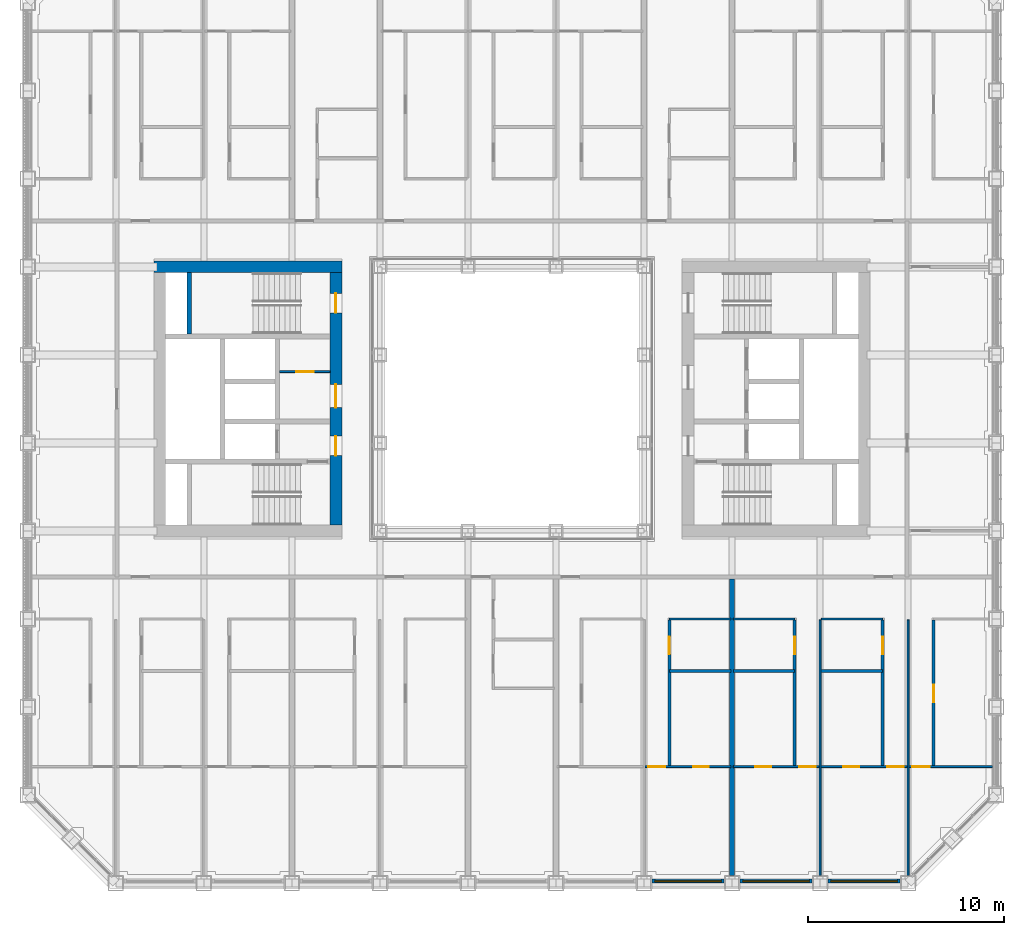
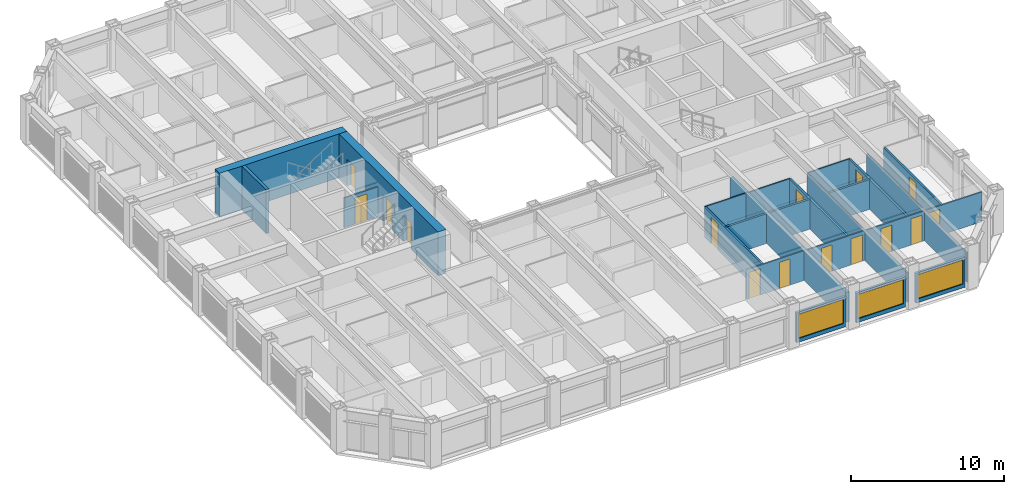
# One storey, part 11 of 20: 24 walls, 15 doors, 3 windows, 18 openings.
"""IFC4 building model written with IfcOpenShell, lengths in metres."""

from ifc_helpers import new_model, si_unit, direction, frame, frame_2d, origin, place, context, subcontext, project, spatial, rectangle, extrude, material, layer, layer_set, type_object, element, fill, save


model = new_model("IFC4")

# Units and contexts
model_context = context("Model", 3, precision=1e-05, world=origin(), true_north=direction((0.0, 1.0)))
body_context = subcontext(model_context, "Body", "Model", "MODEL_VIEW")
ifc_project = project(units=[si_unit("LENGTHUNIT", "METRE"), si_unit("AREAUNIT", "SQUARE_METRE"), si_unit("VOLUMEUNIT", "CUBIC_METRE"), si_unit("PLANEANGLEUNIT", "RADIAN"), si_unit("MASSUNIT", "GRAM", prefix="KILO")], contexts=[model_context])

# Site, building, storey
site_placement = place(None, origin())
site = spatial("IfcSite", under=ifc_project, at=site_placement, CompositionType="ELEMENT")
building_placement = place(site_placement, origin())
building = spatial("IfcBuilding", under=site, at=building_placement, Name="Msasa Ring Tower", CompositionType="ELEMENT")
storey_placement = place(building_placement, frame((0.0, 0.0, 61.5)))
storey = spatial("IfcBuildingStorey", under=building, at=storey_placement, Name="L15", CompositionType="ELEMENT", Elevation=61.5)

# Wall
ifc_material_1 = material(Name="Concrete C60/75", Category="concrete")
ifc_layer_1 = layer(ifc_material_1, 0.60009765625)
ifc_layer_set_1 = layer_set([ifc_layer_1], Name="CW1 CORE WALL 600")
wall_type_1 = type_object("IfcWallType", Name="CW1 CORE WALL 600", PredefinedType="SHEAR", material=ifc_layer_set_1)
wall_1_placement = place(storey_placement, frame((-8.699951171875, 6.75, 0.0), z_axis=(0.0, 0.0, 1.0), x_axis=(-1.0, 0.0, 0.0)))
element("IfcWall", 1, at=wall_1_placement, inside=storey, type_object=wall_type_1, Name="W core wall N L15", PredefinedType="SHEAR", context=body_context, shape_type="SweptSolid", body=[
    extrude(rectangle(XDim=9.60009765625, YDim=0.60009765625, at=frame_2d((4.800048828125, 0.0))), origin(), (0.0, 0.0, 1.0), 3.5),
])

# Wall, openings, doors
wall_2_placement = place(storey_placement, frame((-9.0, -6.449951171875, 0.0), z_axis=(0.0, 0.0, 1.0), x_axis=(0.0, 1.0, 0.0)))
wall_2 = element("IfcWall", 2, at=wall_2_placement, inside=storey, type_object=wall_type_1, Name="W core wall W L15", PredefinedType="SHEAR", context=body_context, shape_type="SweptSolid", body=[
    extrude(rectangle(XDim=12.89990234375, YDim=0.60009765625, at=frame_2d((6.449951171875, 0.0))), origin(), (0.0, 0.0, 1.0), 3.5),
])
opening_1_placement = place(wall_2_placement, frame((3.550048828125, 0.0, 0.0)))
opening_1 = element("IfcOpeningElement", 3, at=opening_1_placement, cuts=wall_2, Name="Opening RD-042", PredefinedType="OPENING", context=body_context, shape_type="SweptSolid", body=[
    extrude(rectangle(XDim=1.0, YDim=2.10009765625, at=frame_2d((0.5, 1.050048828125))), frame((0.0, 0.31005859375, 0.0), z_axis=(0.0, -1.0, 0.0), x_axis=(1.0, 0.0, 0.0)), (0.0, 0.0, 1.0), 0.6201171875),
])
opening_2_placement = place(wall_2_placement, frame((6.0, 0.0, 0.0)))
opening_2 = element("IfcOpeningElement", 4, at=opening_2_placement, cuts=wall_2, Name="Opening RD-039", PredefinedType="OPENING", context=body_context, shape_type="SweptSolid", body=[
    extrude(rectangle(XDim=1.199951171875, YDim=2.10009765625, at=frame_2d((0.60009765625, 1.050048828125))), frame((0.0, 0.31005859375, 0.0), z_axis=(0.0, -1.0, 0.0), x_axis=(1.0, 0.0, 0.0)), (0.0, 0.0, 1.0), 0.6201171875),
])
opening_3_placement = place(wall_2_placement, frame((10.85009765625, 0.0, 0.0)))
opening_3 = element("IfcOpeningElement", 5, at=opening_3_placement, cuts=wall_2, Name="Opening RD-035", PredefinedType="OPENING", context=body_context, shape_type="SweptSolid", body=[
    extrude(rectangle(XDim=1.0, YDim=2.10009765625, at=frame_2d((0.5, 1.050048828125))), frame((0.0, 0.31005859375, 0.0), z_axis=(0.0, -1.0, 0.0), x_axis=(1.0, 0.0, 0.0)), (0.0, 0.0, 1.0), 0.6201171875),
])
ifc_material_2 = material(Name="Timber door leaf in a steel frame", Category="steel")
door_type_1 = type_object("IfcDoorType", Name="D26 WIDE SERVICE ROOM DOOR 1200x2100", OperationType="SINGLE_SWING_LEFT", PredefinedType="DOOR", material=ifc_material_2)
door_1_placement = place(opening_2_placement, origin())
door_1 = element("IfcDoor", 6, at=door_1_placement, inside=storey, type_object=door_type_1, Name="Door L15-WCR", OperationType="SINGLE_SWING_RIGHT", OverallHeight=2.10009765625, OverallWidth=1.199951171875, PredefinedType="DOOR", context=body_context, shape_type="SweptSolid", body=[
    extrude(rectangle(XDim=1.199951171875, YDim=2.10009765625, at=frame_2d((0.60009765625, 1.050048828125))), frame((0.0, 0.02490234375, 0.0), z_axis=(0.0, -1.0, 0.0), x_axis=(1.0, 0.0, 0.0)), (0.0, 0.0, 1.0), 0.050048828125),
])
fill(opening_2, door_1)
ifc_material_3 = material(Name="Timber door leaf in a steel frame", Category="steel")
door_type_2 = type_object("IfcDoorType", Name="D4 LOBBY DOOR 1000x2100", OperationType="SINGLE_SWING_LEFT", PredefinedType="DOOR", material=ifc_material_3)
door_2_placement = place(opening_1_placement, origin())
door_2 = element("IfcDoor", 7, at=door_2_placement, inside=storey, type_object=door_type_2, Name="Door L15-WFFL", OperationType="SINGLE_SWING_LEFT", OverallHeight=2.10009765625, OverallWidth=1.0, PredefinedType="DOOR", context=body_context, shape_type="SweptSolid", body=[
    extrude(rectangle(XDim=1.0, YDim=2.10009765625, at=frame_2d((0.5, 1.050048828125))), frame((0.0, 0.02490234375, 0.0), z_axis=(0.0, -1.0, 0.0), x_axis=(1.0, 0.0, 0.0)), (0.0, 0.0, 1.0), 0.050048828125),
])
fill(opening_1, door_2)
ifc_material_4 = material(Name="Timber door leaf in a steel frame", Category="steel")
door_type_3 = type_object("IfcDoorType", Name="D6 STAIR DOOR 1000x2100", OperationType="SINGLE_SWING_LEFT", PredefinedType="DOOR", material=ifc_material_4)
door_3_placement = place(opening_3_placement, origin())
door_3 = element("IfcDoor", 8, at=door_3_placement, inside=storey, type_object=door_type_3, Name="Door L15-WSTB", OperationType="SINGLE_SWING_RIGHT", OverallHeight=2.10009765625, OverallWidth=1.0, PredefinedType="DOOR", context=body_context, shape_type="SweptSolid", body=[
    extrude(rectangle(XDim=1.0, YDim=2.10009765625, at=frame_2d((0.5, 1.050048828125))), frame((0.0, 0.02490234375, 0.0), z_axis=(0.0, -1.0, 0.0), x_axis=(1.0, 0.0, 0.0)), (0.0, 0.0, 1.0), 0.050048828125),
])
fill(opening_3, door_3)

# Wall
ifc_material_5 = material(Name="Concrete C60/75", Category="concrete")
ifc_layer_2 = layer(ifc_material_5, 0.25)
ifc_layer_set_2 = layer_set([ifc_layer_2], Name="CW4 CORE INNER WALL 250")
wall_type_2 = type_object("IfcWallType", Name="CW4 CORE INNER WALL 250", PredefinedType="SHEAR", material=ifc_layer_set_2)
wall_3_placement = place(storey_placement, frame((-16.5, 3.324951171875, 0.0), z_axis=(0.0, 0.0, 1.0), x_axis=(0.0, 1.0, 0.0)))
element("IfcWall", 9, at=wall_3_placement, inside=storey, type_object=wall_type_2, Name="W core wall RISERB L15", PredefinedType="SHEAR", context=body_context, shape_type="SweptSolid", body=[
    extrude(rectangle(XDim=3.125, YDim=0.25, at=frame_2d((1.5625, 0.0))), origin(), (0.0, 0.0, 1.0), 3.5),
])

# Wall, opening, window
ifc_material_6 = material(Name="Terracotta rainscreen on blockwork", Category="masonry")
ifc_layer_3 = layer(ifc_material_6, 0.199951171875)
ifc_layer_set_3 = layer_set([ifc_layer_3], Name="FW1 TERRACOTTA-LINED INFILL BAY WALL 200")
wall_type_3 = type_object("IfcWallType", Name="FW1 TERRACOTTA-LINED INFILL BAY WALL 200", PredefinedType="SOLIDWALL", material=ifc_layer_set_3)
wall_4_placement = place(storey_placement, frame((7.155029296875, -24.64990234375, 0.0), z_axis=(0.0, 0.0, 1.0), x_axis=(1.0, 0.0, 0.0)))
wall_4 = element("IfcWall", 10, at=wall_4_placement, inside=storey, type_object=wall_type_3, Name="Infill bay wall S L15 06", PredefinedType="SOLIDWALL", context=body_context, shape_type="SweptSolid", body=[
    extrude(rectangle(XDim=3.68994140625, YDim=0.199951171875, at=frame_2d((1.844970703125, 0.0))), origin(), (0.0, 0.0, 1.0), 2.37890625),
])
opening_4_placement = place(wall_4_placement, frame((0.14501953125, 0.0, 0.300048828125)))
opening_4 = element("IfcOpeningElement", 11, at=opening_4_placement, cuts=wall_4, Name="Opening WN1", PredefinedType="OPENING", context=body_context, shape_type="SweptSolid", body=[
    extrude(rectangle(XDim=3.39990234375, YDim=1.928955078125, at=frame_2d((1.699951171875, 0.96435546875))), frame((0.0, 0.10986328125, 0.0), z_axis=(0.0, -1.0, 0.0), x_axis=(1.0, 0.0, 0.0)), (0.0, 0.0, 1.0), 0.219970703125),
])
ifc_material_7 = material(Name="Aluminium frame with clear glass", Category="aluminium")
window_type = type_object("IfcWindowType", Name="WN1 RESIDENCE WINDOW 3400x1929", PartitioningType="SINGLE_PANEL", PredefinedType="WINDOW", material=ifc_material_7)
window_1_placement = place(opening_4_placement, origin())
window_1 = element("IfcWindow", 12, at=window_1_placement, inside=storey, type_object=window_type, Name="Window S L15 06", OverallHeight=1.928955078125, OverallWidth=3.39990234375, PartitioningType="SINGLE_PANEL", PredefinedType="WINDOW", context=body_context, shape_type="SweptSolid", body=[
    extrude(rectangle(XDim=3.39990234375, YDim=1.928955078125, at=frame_2d((1.699951171875, 0.96435546875))), frame((0.0, 0.030029296875, 0.0), z_axis=(0.0, -1.0, 0.0), x_axis=(1.0, 0.0, 0.0)), (0.0, 0.0, 1.0), 0.06005859375),
])
fill(opening_4, window_1)

wall_5_placement = place(storey_placement, frame((11.655029296875, -24.64990234375, 0.0), z_axis=(0.0, 0.0, 1.0), x_axis=(1.0, 0.0, 0.0)))
wall_5 = element("IfcWall", 13, at=wall_5_placement, inside=storey, type_object=wall_type_3, Name="Infill bay wall S L15 07", PredefinedType="SOLIDWALL", context=body_context, shape_type="SweptSolid", body=[
    extrude(rectangle(XDim=3.68994140625, YDim=0.199951171875, at=frame_2d((1.844970703125, 0.0))), origin(), (0.0, 0.0, 1.0), 2.37890625),
])
opening_5_placement = place(wall_5_placement, frame((0.14501953125, 0.0, 0.300048828125)))
opening_5 = element("IfcOpeningElement", 14, at=opening_5_placement, cuts=wall_5, Name="Opening WN1", PredefinedType="OPENING", context=body_context, shape_type="SweptSolid", body=[
    extrude(rectangle(XDim=3.39990234375, YDim=1.928955078125, at=frame_2d((1.699951171875, 0.96435546875))), frame((0.0, 0.10986328125, 0.0), z_axis=(0.0, -1.0, 0.0), x_axis=(1.0, 0.0, 0.0)), (0.0, 0.0, 1.0), 0.219970703125),
])
window_2_placement = place(opening_5_placement, origin())
window_2 = element("IfcWindow", 15, at=window_2_placement, inside=storey, type_object=window_type, Name="Window S L15 07", OverallHeight=1.928955078125, OverallWidth=3.39990234375, PartitioningType="SINGLE_PANEL", PredefinedType="WINDOW", context=body_context, shape_type="SweptSolid", body=[
    extrude(rectangle(XDim=3.39990234375, YDim=1.928955078125, at=frame_2d((1.699951171875, 0.96435546875))), frame((0.0, 0.030029296875, 0.0), z_axis=(0.0, -1.0, 0.0), x_axis=(1.0, 0.0, 0.0)), (0.0, 0.0, 1.0), 0.06005859375),
])
fill(opening_5, window_2)

wall_6_placement = place(storey_placement, frame((16.155029296875, -24.64990234375, 0.0), z_axis=(0.0, 0.0, 1.0), x_axis=(1.0, 0.0, 0.0)))
wall_6 = element("IfcWall", 16, at=wall_6_placement, inside=storey, type_object=wall_type_3, Name="Infill bay wall S L15 08", PredefinedType="SOLIDWALL", context=body_context, shape_type="SweptSolid", body=[
    extrude(rectangle(XDim=3.68994140625, YDim=0.199951171875, at=frame_2d((1.844970703125, 0.0))), origin(), (0.0, 0.0, 1.0), 2.37890625),
])
opening_6_placement = place(wall_6_placement, frame((0.14501953125, 0.0, 0.300048828125)))
opening_6 = element("IfcOpeningElement", 17, at=opening_6_placement, cuts=wall_6, Name="Opening WN1", PredefinedType="OPENING", context=body_context, shape_type="SweptSolid", body=[
    extrude(rectangle(XDim=3.39990234375, YDim=1.928955078125, at=frame_2d((1.699951171875, 0.96435546875))), frame((0.0, 0.10986328125, 0.0), z_axis=(0.0, -1.0, 0.0), x_axis=(1.0, 0.0, 0.0)), (0.0, 0.0, 1.0), 0.219970703125),
])
window_3_placement = place(opening_6_placement, origin())
window_3 = element("IfcWindow", 18, at=window_3_placement, inside=storey, type_object=window_type, Name="Window S L15 08", OverallHeight=1.928955078125, OverallWidth=3.39990234375, PartitioningType="SINGLE_PANEL", PredefinedType="WINDOW", context=body_context, shape_type="SweptSolid", body=[
    extrude(rectangle(XDim=3.39990234375, YDim=1.928955078125, at=frame_2d((1.699951171875, 0.96435546875))), frame((0.0, 0.030029296875, 0.0), z_axis=(0.0, -1.0, 0.0), x_axis=(1.0, 0.0, 0.0)), (0.0, 0.0, 1.0), 0.06005859375),
])
fill(opening_6, window_3)

# Wall
ifc_material_8 = material(Name="Gypsum board on steel studs", Category="steel")
ifc_layer_4 = layer(ifc_material_8, 0.10009765625)
ifc_layer_set_4 = layer_set([ifc_layer_4], Name="PT2 STUD PARTITION 100")
wall_type_4 = type_object("IfcWallType", Name="PT2 STUD PARTITION 100", PredefinedType="PARTITIONING", material=ifc_layer_set_4)
wall_7_placement = place(storey_placement, frame((8.050048828125, -11.25, 0.0), z_axis=(0.0, 0.0, 1.0), x_axis=(1.0, 0.0, 0.0)))
element("IfcWall", 19, at=wall_7_placement, inside=storey, type_object=wall_type_4, Name="Partition L15-US03HY1", PredefinedType="PARTITIONING", context=body_context, shape_type="SweptSolid", body=[
    extrude(rectangle(XDim=3.139892578125, YDim=0.10009765625, at=frame_2d((1.56982421875, 0.0))), origin(), (0.0, 0.0, 1.0), 2.373291015625),
])

# Wall, openings, doors
wall_8_placement = place(storey_placement, frame((6.800048828125, -18.800048828125, 0.0), z_axis=(0.0, 0.0, 1.0), x_axis=(1.0, 0.0, 0.0)))
wall_8 = element("IfcWall", 20, at=wall_8_placement, inside=storey, type_object=wall_type_4, Name="Partition L15-US03SY1", PredefinedType="PARTITIONING", context=body_context, shape_type="SweptSolid", body=[
    extrude(rectangle(XDim=4.389892578125, YDim=0.10009765625, at=frame_2d((2.19482421875, 0.0))), origin(), (0.0, 0.0, 1.0), 2.373291015625),
])
opening_7_placement = place(wall_8_placement, frame((0.175048828125, 0.0, 0.0)))
opening_7 = element("IfcOpeningElement", 21, at=opening_7_placement, cuts=wall_8, Name="Opening RD-073", PredefinedType="OPENING", context=body_context, shape_type="SweptSolid", body=[
    extrude(rectangle(XDim=0.85009765625, YDim=2.10009765625, at=frame_2d((0.425048828125, 1.050048828125))), frame((0.0, 0.06005859375, 0.0), z_axis=(0.0, -1.0, 0.0), x_axis=(1.0, 0.0, 0.0)), (0.0, 0.0, 1.0), 0.1201171875),
])
opening_8_placement = place(wall_8_placement, frame((2.4599609375, 0.0, 0.0)))
opening_8 = element("IfcOpeningElement", 22, at=opening_8_placement, cuts=wall_8, Name="Opening RD-074", PredefinedType="OPENING", context=body_context, shape_type="SweptSolid", body=[
    extrude(rectangle(XDim=0.800048828125, YDim=2.10009765625, at=frame_2d((0.39990234375, 1.050048828125))), frame((0.0, 0.06005859375, 0.0), z_axis=(0.0, -1.0, 0.0), x_axis=(1.0, 0.0, 0.0)), (0.0, 0.0, 1.0), 0.1201171875),
])
ifc_material_9 = material(Name="Timber door leaf in a steel frame", Category="steel")
door_type_4 = type_object("IfcDoorType", Name="D14 BEDROOM DOOR 850x2100", OperationType="SINGLE_SWING_LEFT", PredefinedType="DOOR", material=ifc_material_9)
door_4_placement = place(opening_7_placement, origin())
door_4 = element("IfcDoor", 23, at=door_4_placement, inside=storey, type_object=door_type_4, Name="Door L15-US03R1", OperationType="SINGLE_SWING_LEFT", OverallHeight=2.10009765625, OverallWidth=0.85009765625, PredefinedType="DOOR", context=body_context, shape_type="SweptSolid", body=[
    extrude(rectangle(XDim=0.85009765625, YDim=2.10009765625, at=frame_2d((0.425048828125, 1.050048828125))), frame((0.0, 0.02490234375, 0.0), z_axis=(0.0, -1.0, 0.0), x_axis=(1.0, 0.0, 0.0)), (0.0, 0.0, 1.0), 0.050048828125),
])
fill(opening_7, door_4)
ifc_material_10 = material(Name="Timber door leaf in a steel frame", Category="steel")
door_type_5 = type_object("IfcDoorType", Name="D60 DRESSING ROOM DOOR 800x2100", OperationType="SINGLE_SWING_LEFT", PredefinedType="DOOR", material=ifc_material_10)
door_5_placement = place(opening_8_placement, origin())
door_5 = element("IfcDoor", 24, at=door_5_placement, inside=storey, type_object=door_type_5, Name="Door L15-US03W1", OperationType="SINGLE_SWING_RIGHT", OverallHeight=2.10009765625, OverallWidth=0.800048828125, PredefinedType="DOOR", context=body_context, shape_type="SweptSolid", body=[
    extrude(rectangle(XDim=0.800048828125, YDim=2.10009765625, at=frame_2d((0.39990234375, 1.050048828125))), frame((0.0, 0.02490234375, 0.0), z_axis=(0.0, -1.0, 0.0), x_axis=(1.0, 0.0, 0.0)), (0.0, 0.0, 1.0), 0.050048828125),
])
fill(opening_8, door_5)

# Wall, opening, door
wall_9_placement = place(storey_placement, frame((20.300048828125, -18.800048828125, 0.0), z_axis=(0.0, 0.0, 1.0), x_axis=(1.0, 0.0, 0.0)))
wall_9 = element("IfcWall", 25, at=wall_9_placement, inside=storey, type_object=wall_type_4, Name="Partition L15-US04SY0", PredefinedType="PARTITIONING", context=body_context, shape_type="SweptSolid", body=[
    extrude(rectangle(XDim=4.25, YDim=0.10009765625, at=frame_2d((2.125, 0.0))), origin(), (0.0, 0.0, 1.0), 2.373291015625),
])
opening_9_placement = place(wall_9_placement, frame((0.14990234375, 0.0, 0.0)))
opening_9 = element("IfcOpeningElement", 26, at=opening_9_placement, cuts=wall_9, Name="Opening RD-079", PredefinedType="OPENING", context=body_context, shape_type="SweptSolid", body=[
    extrude(rectangle(XDim=0.89990234375, YDim=2.10009765625, at=frame_2d((0.449951171875, 1.050048828125))), frame((0.0, 0.06005859375, 0.0), z_axis=(0.0, -1.0, 0.0), x_axis=(1.0, 0.0, 0.0)), (0.0, 0.0, 1.0), 0.1201171875),
])
ifc_material_11 = material(Name="Timber door leaf in a steel frame", Category="steel")
door_type_6 = type_object("IfcDoorType", Name="D22 INTERNAL HALL DOOR 900x2100", OperationType="SINGLE_SWING_LEFT", PredefinedType="DOOR", material=ifc_material_11)
door_6_placement = place(opening_9_placement, origin())
door_6 = element("IfcDoor", 27, at=door_6_placement, inside=storey, type_object=door_type_6, Name="Door L15-US04L", OperationType="SINGLE_SWING_LEFT", OverallHeight=2.10009765625, OverallWidth=0.89990234375, PredefinedType="DOOR", context=body_context, shape_type="SweptSolid", body=[
    extrude(rectangle(XDim=0.89990234375, YDim=2.10009765625, at=frame_2d((0.449951171875, 1.050048828125))), frame((0.0, 0.02490234375, 0.0), z_axis=(0.0, -1.0, 0.0), x_axis=(1.0, 0.0, 0.0)), (0.0, 0.0, 1.0), 0.050048828125),
])
fill(opening_9, door_6)

# Walls
wall_10_placement = place(storey_placement, frame((20.25, -24.35009765625, 0.0), z_axis=(0.0, 0.0, 1.0), x_axis=(0.0, 1.0, 0.0)))
element("IfcWall", 28, at=wall_10_placement, inside=storey, type_object=wall_type_4, Name="Partition L15-US04P1", PredefinedType="PARTITIONING", context=body_context, shape_type="SweptSolid", body=[
    extrude(rectangle(XDim=13.050048828125, YDim=0.10009765625, at=frame_2d((6.52490234375, 0.0))), origin(), (0.0, 0.0, 1.0), 2.373291015625),
])
wall_11_placement = place(storey_placement, frame((15.81005859375, -11.25, 0.0), z_axis=(0.0, 0.0, 1.0), x_axis=(1.0, 0.0, 0.0)))
element("IfcWall", 29, at=wall_11_placement, inside=storey, type_object=wall_type_4, Name="Partition L15-US04HY1", PredefinedType="PARTITIONING", context=body_context, shape_type="SweptSolid", body=[
    extrude(rectangle(XDim=3.139892578125, YDim=0.10009765625, at=frame_2d((1.56982421875, 0.0))), origin(), (0.0, 0.0, 1.0), 2.373291015625),
])

# Wall, openings, doors
wall_12_placement = place(storey_placement, frame((15.800048828125, -18.800048828125, 0.0), z_axis=(0.0, 0.0, 1.0), x_axis=(1.0, 0.0, 0.0)))
wall_12 = element("IfcWall", 30, at=wall_12_placement, inside=storey, type_object=wall_type_4, Name="Partition L15-US04SY1", PredefinedType="PARTITIONING", context=body_context, shape_type="SweptSolid", body=[
    extrude(rectangle(XDim=4.39990234375, YDim=0.10009765625, at=frame_2d((2.199951171875, 0.0))), origin(), (0.0, 0.0, 1.0), 2.373291015625),
])
opening_10_placement = place(wall_12_placement, frame((3.375, 0.0, 0.0)))
opening_10 = element("IfcOpeningElement", 31, at=opening_10_placement, cuts=wall_12, Name="Opening RD-078", PredefinedType="OPENING", context=body_context, shape_type="SweptSolid", body=[
    extrude(rectangle(XDim=0.85009765625, YDim=2.10009765625, at=frame_2d((0.425048828125, 1.050048828125))), frame((0.0, 0.06005859375, 0.0), z_axis=(0.0, -1.0, 0.0), x_axis=(1.0, 0.0, 0.0)), (0.0, 0.0, 1.0), 0.1201171875),
])
opening_11_placement = place(wall_12_placement, frame((1.139892578125, 0.0, 0.0)))
opening_11 = element("IfcOpeningElement", 32, at=opening_11_placement, cuts=wall_12, Name="Opening RD-077", PredefinedType="OPENING", context=body_context, shape_type="SweptSolid", body=[
    extrude(rectangle(XDim=0.800048828125, YDim=2.10009765625, at=frame_2d((0.39990234375, 1.050048828125))), frame((0.0, 0.06005859375, 0.0), z_axis=(0.0, -1.0, 0.0), x_axis=(1.0, 0.0, 0.0)), (0.0, 0.0, 1.0), 0.1201171875),
])
door_7_placement = place(opening_10_placement, origin())
door_7 = element("IfcDoor", 33, at=door_7_placement, inside=storey, type_object=door_type_4, Name="Door L15-US04R1", OperationType="SINGLE_SWING_RIGHT", OverallHeight=2.10009765625, OverallWidth=0.85009765625, PredefinedType="DOOR", context=body_context, shape_type="SweptSolid", body=[
    extrude(rectangle(XDim=0.85009765625, YDim=2.10009765625, at=frame_2d((0.425048828125, 1.050048828125))), frame((0.0, 0.02490234375, 0.0), z_axis=(0.0, -1.0, 0.0), x_axis=(1.0, 0.0, 0.0)), (0.0, 0.0, 1.0), 0.050048828125),
])
fill(opening_10, door_7)
door_8_placement = place(opening_11_placement, origin())
door_8 = element("IfcDoor", 34, at=door_8_placement, inside=storey, type_object=door_type_5, Name="Door L15-US04W1", OperationType="SINGLE_SWING_LEFT", OverallHeight=2.10009765625, OverallWidth=0.800048828125, PredefinedType="DOOR", context=body_context, shape_type="SweptSolid", body=[
    extrude(rectangle(XDim=0.800048828125, YDim=2.10009765625, at=frame_2d((0.39990234375, 1.050048828125))), frame((0.0, 0.02490234375, 0.0), z_axis=(0.0, -1.0, 0.0), x_axis=(1.0, 0.0, 0.0)), (0.0, 0.0, 1.0), 0.050048828125),
])
fill(opening_11, door_8)

# Walls
wall_13_placement = place(storey_placement, frame((15.75, -24.35009765625, 0.0), z_axis=(0.0, 0.0, 1.0), x_axis=(0.0, 1.0, 0.0)))
element("IfcWall", 35, at=wall_13_placement, inside=storey, type_object=wall_type_4, Name="Partition L15-US04P2", PredefinedType="PARTITIONING", context=body_context, shape_type="SweptSolid", body=[
    extrude(rectangle(XDim=13.050048828125, YDim=0.10009765625, at=frame_2d((6.52490234375, 0.0))), origin(), (0.0, 0.0, 1.0), 2.373291015625),
])
wall_14_placement = place(storey_placement, frame((11.31005859375, -11.25, 0.0), z_axis=(0.0, 0.0, 1.0), x_axis=(1.0, 0.0, 0.0)))
element("IfcWall", 36, at=wall_14_placement, inside=storey, type_object=wall_type_4, Name="Partition L15-US04HY2", PredefinedType="PARTITIONING", context=body_context, shape_type="SweptSolid", body=[
    extrude(rectangle(XDim=3.139892578125, YDim=0.10009765625, at=frame_2d((1.56982421875, 0.0))), origin(), (0.0, 0.0, 1.0), 2.373291015625),
])

# Wall, openings, doors
wall_15_placement = place(storey_placement, frame((11.31005859375, -18.800048828125, 0.0), z_axis=(0.0, 0.0, 1.0), x_axis=(1.0, 0.0, 0.0)))
wall_15 = element("IfcWall", 37, at=wall_15_placement, inside=storey, type_object=wall_type_4, Name="Partition L15-US04SY2", PredefinedType="PARTITIONING", context=body_context, shape_type="SweptSolid", body=[
    extrude(rectangle(XDim=4.389892578125, YDim=0.10009765625, at=frame_2d((2.19482421875, 0.0))), origin(), (0.0, 0.0, 1.0), 2.373291015625),
])
opening_12_placement = place(wall_15_placement, frame((3.364990234375, 0.0, 0.0)))
opening_12 = element("IfcOpeningElement", 38, at=opening_12_placement, cuts=wall_15, Name="Opening RD-076", PredefinedType="OPENING", context=body_context, shape_type="SweptSolid", body=[
    extrude(rectangle(XDim=0.85009765625, YDim=2.10009765625, at=frame_2d((0.425048828125, 1.050048828125))), frame((0.0, 0.06005859375, 0.0), z_axis=(0.0, -1.0, 0.0), x_axis=(1.0, 0.0, 0.0)), (0.0, 0.0, 1.0), 0.1201171875),
])
opening_13_placement = place(wall_15_placement, frame((1.1298828125, 0.0, 0.0)))
opening_13 = element("IfcOpeningElement", 39, at=opening_13_placement, cuts=wall_15, Name="Opening RD-075", PredefinedType="OPENING", context=body_context, shape_type="SweptSolid", body=[
    extrude(rectangle(XDim=0.800048828125, YDim=2.10009765625, at=frame_2d((0.39990234375, 1.050048828125))), frame((0.0, 0.06005859375, 0.0), z_axis=(0.0, -1.0, 0.0), x_axis=(1.0, 0.0, 0.0)), (0.0, 0.0, 1.0), 0.1201171875),
])
door_9_placement = place(opening_12_placement, origin())
door_9 = element("IfcDoor", 40, at=door_9_placement, inside=storey, type_object=door_type_4, Name="Door L15-US04R2", OperationType="SINGLE_SWING_RIGHT", OverallHeight=2.10009765625, OverallWidth=0.85009765625, PredefinedType="DOOR", context=body_context, shape_type="SweptSolid", body=[
    extrude(rectangle(XDim=0.85009765625, YDim=2.10009765625, at=frame_2d((0.425048828125, 1.050048828125))), frame((0.0, 0.02490234375, 0.0), z_axis=(0.0, -1.0, 0.0), x_axis=(1.0, 0.0, 0.0)), (0.0, 0.0, 1.0), 0.050048828125),
])
fill(opening_12, door_9)
door_10_placement = place(opening_13_placement, origin())
door_10 = element("IfcDoor", 41, at=door_10_placement, inside=storey, type_object=door_type_5, Name="Door L15-US04W2", OperationType="SINGLE_SWING_LEFT", OverallHeight=2.10009765625, OverallWidth=0.800048828125, PredefinedType="DOOR", context=body_context, shape_type="SweptSolid", body=[
    extrude(rectangle(XDim=0.800048828125, YDim=2.10009765625, at=frame_2d((0.39990234375, 1.050048828125))), frame((0.0, 0.02490234375, 0.0), z_axis=(0.0, -1.0, 0.0), x_axis=(1.0, 0.0, 0.0)), (0.0, 0.0, 1.0), 0.050048828125),
])
fill(opening_13, door_10)

# Wall, opening, door
wall_16_placement = place(storey_placement, frame((-11.875, 1.39990234375, 0.0), z_axis=(0.0, 0.0, 1.0), x_axis=(1.0, 0.0, 0.0)))
wall_16 = element("IfcWall", 42, at=wall_16_placement, inside=storey, type_object=wall_type_4, Name="Partition L15-WCP", PredefinedType="PARTITIONING", context=body_context, shape_type="SweptSolid", body=[
    extrude(rectangle(XDim=2.574951171875, YDim=0.10009765625, at=frame_2d((1.28759765625, 0.0))), origin(), (0.0, 0.0, 1.0), 2.373291015625),
])
opening_14_placement = place(wall_16_placement, frame((0.83740234375, 0.0, 0.0)))
opening_14 = element("IfcOpeningElement", 43, at=opening_14_placement, cuts=wall_16, Name="Opening RD-037", PredefinedType="OPENING", context=body_context, shape_type="SweptSolid", body=[
    extrude(rectangle(XDim=0.89990234375, YDim=2.10009765625, at=frame_2d((0.449951171875, 1.050048828125))), frame((0.0, 0.06005859375, 0.0), z_axis=(0.0, -1.0, 0.0), x_axis=(1.0, 0.0, 0.0)), (0.0, 0.0, 1.0), 0.1201171875),
])
door_11_placement = place(opening_14_placement, origin())
door_11 = element("IfcDoor", 44, at=door_11_placement, inside=storey, type_object=door_type_6, Name="Door L15-WCP", OperationType="SINGLE_SWING_LEFT", OverallHeight=2.10009765625, OverallWidth=0.89990234375, PredefinedType="DOOR", context=body_context, shape_type="SweptSolid", body=[
    extrude(rectangle(XDim=0.89990234375, YDim=2.10009765625, at=frame_2d((0.449951171875, 1.050048828125))), frame((0.0, 0.02490234375, 0.0), z_axis=(0.0, -1.0, 0.0), x_axis=(1.0, 0.0, 0.0)), (0.0, 0.0, 1.0), 0.050048828125),
])
fill(opening_14, door_11)

# Wall
ifc_material_12 = material(Name="Dense concrete blockwork, plastered both faces", Category="masonry")
ifc_layer_5 = layer(ifc_material_12, 0.25)
ifc_layer_set_5 = layer_set([ifc_layer_5], Name="PT3 APARTMENT SEPARATING WALL 250")
wall_type_5 = type_object("IfcWallType", Name="PT3 APARTMENT SEPARATING WALL 250", PredefinedType="PARTITIONING", material=ifc_layer_set_5)
wall_17_placement = place(storey_placement, frame((11.25, -24.35009765625, 0.0), z_axis=(0.0, 0.0, 1.0), x_axis=(0.0, 1.0, 0.0)))
element("IfcWall", 45, at=wall_17_placement, inside=storey, type_object=wall_type_5, Name="Party wall L15-PWS+11.25", PredefinedType="PARTITIONING", context=body_context, shape_type="SweptSolid", body=[
    extrude(rectangle(XDim=15.150146484375, YDim=0.25, at=frame_2d((7.5751953125, 0.0))), origin(), (0.0, 0.0, 1.0), 2.373291015625),
])

# Wall, opening, door
ifc_material_13 = material(Name="Moisture-resistant board on steel studs with a concealed cistern and pipe void, tiled", Category="steel")
ifc_layer_6 = layer(ifc_material_13, 0.14990234375)
ifc_layer_set_6 = layer_set([ifc_layer_6], Name="PT4 BATHROOM WET WALL 150")
wall_type_6 = type_object("IfcWallType", Name="PT4 BATHROOM WET WALL 150", PredefinedType="PARTITIONING", material=ifc_layer_set_6)
wall_18_placement = place(storey_placement, frame((8.050048828125, -18.800048828125, 0.0), z_axis=(0.0, 0.0, 1.0), x_axis=(0.0, 1.0, 0.0)))
wall_18 = element("IfcWall", 46, at=wall_18_placement, inside=storey, type_object=wall_type_6, Name="Partition L15-US03SX1", PredefinedType="PARTITIONING", context=body_context, shape_type="SweptSolid", body=[
    extrude(rectangle(XDim=7.5, YDim=0.14990234375, at=frame_2d((3.75, 0.0))), origin(), (0.0, 0.0, 1.0), 2.373291015625),
])
opening_15_placement = place(wall_18_placement, frame((5.75, 0.0, 0.0)))
opening_15 = element("IfcOpeningElement", 47, at=opening_15_placement, cuts=wall_18, Name="Opening RD-056", PredefinedType="OPENING", context=body_context, shape_type="SweptSolid", body=[
    extrude(rectangle(XDim=0.89990234375, YDim=2.10009765625, at=frame_2d((0.449951171875, 1.050048828125))), frame((0.0, 0.0849609375, 0.0), z_axis=(0.0, -1.0, 0.0), x_axis=(1.0, 0.0, 0.0)), (0.0, 0.0, 1.0), 0.169921875),
])
ifc_material_14 = material(Name="Timber door leaf in a steel frame", Category="steel")
door_type_7 = type_object("IfcDoorType", Name="D3 BATHROOM DOOR 900x2100", OperationType="SINGLE_SWING_LEFT", PredefinedType="DOOR", material=ifc_material_14)
door_12_placement = place(opening_15_placement, origin())
door_12 = element("IfcDoor", 48, at=door_12_placement, inside=storey, type_object=door_type_7, Name="Door L15-US03B1", OperationType="SINGLE_SWING_RIGHT", OverallHeight=2.10009765625, OverallWidth=0.89990234375, PredefinedType="DOOR", context=body_context, shape_type="SweptSolid", body=[
    extrude(rectangle(XDim=0.89990234375, YDim=2.10009765625, at=frame_2d((0.449951171875, 1.050048828125))), frame((0.0, 0.02490234375, 0.0), z_axis=(0.0, -1.0, 0.0), x_axis=(1.0, 0.0, 0.0)), (0.0, 0.0, 1.0), 0.050048828125),
])
fill(opening_15, door_12)

# Wall
wall_19_placement = place(storey_placement, frame((8.050048828125, -13.89990234375, 0.0), z_axis=(0.0, 0.0, 1.0), x_axis=(1.0, 0.0, 0.0)))
element("IfcWall", 49, at=wall_19_placement, inside=storey, type_object=wall_type_6, Name="Partition L15-US03SB1", PredefinedType="PARTITIONING", context=body_context, shape_type="SweptSolid", body=[
    extrude(rectangle(XDim=3.139892578125, YDim=0.14990234375, at=frame_2d((1.56982421875, 0.0))), origin(), (0.0, 0.0, 1.0), 2.373291015625),
])

# Wall, opening, door
wall_20_placement = place(storey_placement, frame((21.550048828125, -18.800048828125, 0.0), z_axis=(0.0, 0.0, 1.0), x_axis=(0.0, 1.0, 0.0)))
wall_20 = element("IfcWall", 50, at=wall_20_placement, inside=storey, type_object=wall_type_6, Name="Partition L15-US04SX0", PredefinedType="PARTITIONING", context=body_context, shape_type="SweptSolid", body=[
    extrude(rectangle(XDim=7.5, YDim=0.14990234375, at=frame_2d((3.75, 0.0))), origin(), (0.0, 0.0, 1.0), 2.373291015625),
])
opening_16_placement = place(wall_20_placement, frame((3.300048828125, 0.0, 0.0)))
opening_16 = element("IfcOpeningElement", 51, at=opening_16_placement, cuts=wall_20, Name="Opening RD-063", PredefinedType="OPENING", context=body_context, shape_type="SweptSolid", body=[
    extrude(rectangle(XDim=0.89990234375, YDim=2.10009765625, at=frame_2d((0.449951171875, 1.050048828125))), frame((0.0, 0.0849609375, 0.0), z_axis=(0.0, -1.0, 0.0), x_axis=(1.0, 0.0, 0.0)), (0.0, 0.0, 1.0), 0.169921875),
])
door_13_placement = place(opening_16_placement, origin())
door_13 = element("IfcDoor", 52, at=door_13_placement, inside=storey, type_object=door_type_6, Name="Door L15-US04K", OperationType="SINGLE_SWING_LEFT", OverallHeight=2.10009765625, OverallWidth=0.89990234375, PredefinedType="DOOR", context=body_context, shape_type="SweptSolid", body=[
    extrude(rectangle(XDim=0.89990234375, YDim=2.10009765625, at=frame_2d((0.449951171875, 1.050048828125))), frame((0.0, 0.02490234375, 0.0), z_axis=(0.0, -1.0, 0.0), x_axis=(1.0, 0.0, 0.0)), (0.0, 0.0, 1.0), 0.050048828125),
])
fill(opening_16, door_13)

wall_21_placement = place(storey_placement, frame((18.949951171875, -18.800048828125, 0.0), z_axis=(0.0, 0.0, 1.0), x_axis=(0.0, 1.0, 0.0)))
wall_21 = element("IfcWall", 53, at=wall_21_placement, inside=storey, type_object=wall_type_6, Name="Partition L15-US04SX1", PredefinedType="PARTITIONING", context=body_context, shape_type="SweptSolid", body=[
    extrude(rectangle(XDim=7.5, YDim=0.14990234375, at=frame_2d((3.75, 0.0))), origin(), (0.0, 0.0, 1.0), 2.373291015625),
])
opening_17_placement = place(wall_21_placement, frame((5.75, 0.0, 0.0)))
opening_17 = element("IfcOpeningElement", 54, at=opening_17_placement, cuts=wall_21, Name="Opening RD-058", PredefinedType="OPENING", context=body_context, shape_type="SweptSolid", body=[
    extrude(rectangle(XDim=0.89990234375, YDim=2.10009765625, at=frame_2d((0.449951171875, 1.050048828125))), frame((0.0, 0.0849609375, 0.0), z_axis=(0.0, -1.0, 0.0), x_axis=(1.0, 0.0, 0.0)), (0.0, 0.0, 1.0), 0.169921875),
])
door_14_placement = place(opening_17_placement, origin())
door_14 = element("IfcDoor", 55, at=door_14_placement, inside=storey, type_object=door_type_7, Name="Door L15-US04B1", OperationType="SINGLE_SWING_RIGHT", OverallHeight=2.10009765625, OverallWidth=0.89990234375, PredefinedType="DOOR", context=body_context, shape_type="SweptSolid", body=[
    extrude(rectangle(XDim=0.89990234375, YDim=2.10009765625, at=frame_2d((0.449951171875, 1.050048828125))), frame((0.0, 0.02490234375, 0.0), z_axis=(0.0, -1.0, 0.0), x_axis=(1.0, 0.0, 0.0)), (0.0, 0.0, 1.0), 0.050048828125),
])
fill(opening_17, door_14)

# Wall
wall_22_placement = place(storey_placement, frame((15.800048828125, -13.89990234375, 0.0), z_axis=(0.0, 0.0, 1.0), x_axis=(1.0, 0.0, 0.0)))
element("IfcWall", 56, at=wall_22_placement, inside=storey, type_object=wall_type_6, Name="Partition L15-US04SB1", PredefinedType="PARTITIONING", context=body_context, shape_type="SweptSolid", body=[
    extrude(rectangle(XDim=3.14990234375, YDim=0.14990234375, at=frame_2d((1.574951171875, 0.0))), origin(), (0.0, 0.0, 1.0), 2.373291015625),
])

# Wall, opening, door
wall_23_placement = place(storey_placement, frame((14.449951171875, -18.800048828125, 0.0), z_axis=(0.0, 0.0, 1.0), x_axis=(0.0, 1.0, 0.0)))
wall_23 = element("IfcWall", 57, at=wall_23_placement, inside=storey, type_object=wall_type_6, Name="Partition L15-US04SX2", PredefinedType="PARTITIONING", context=body_context, shape_type="SweptSolid", body=[
    extrude(rectangle(XDim=7.5, YDim=0.14990234375, at=frame_2d((3.75, 0.0))), origin(), (0.0, 0.0, 1.0), 2.373291015625),
])
opening_18_placement = place(wall_23_placement, frame((5.75, 0.0, 0.0)))
opening_18 = element("IfcOpeningElement", 58, at=opening_18_placement, cuts=wall_23, Name="Opening RD-057", PredefinedType="OPENING", context=body_context, shape_type="SweptSolid", body=[
    extrude(rectangle(XDim=0.89990234375, YDim=2.10009765625, at=frame_2d((0.449951171875, 1.050048828125))), frame((0.0, 0.0849609375, 0.0), z_axis=(0.0, -1.0, 0.0), x_axis=(1.0, 0.0, 0.0)), (0.0, 0.0, 1.0), 0.169921875),
])
door_15_placement = place(opening_18_placement, origin())
door_15 = element("IfcDoor", 59, at=door_15_placement, inside=storey, type_object=door_type_7, Name="Door L15-US04B2", OperationType="SINGLE_SWING_RIGHT", OverallHeight=2.10009765625, OverallWidth=0.89990234375, PredefinedType="DOOR", context=body_context, shape_type="SweptSolid", body=[
    extrude(rectangle(XDim=0.89990234375, YDim=2.10009765625, at=frame_2d((0.449951171875, 1.050048828125))), frame((0.0, 0.02490234375, 0.0), z_axis=(0.0, -1.0, 0.0), x_axis=(1.0, 0.0, 0.0)), (0.0, 0.0, 1.0), 0.050048828125),
])
fill(opening_18, door_15)

# Wall
wall_24_placement = place(storey_placement, frame((11.31005859375, -13.89990234375, 0.0), z_axis=(0.0, 0.0, 1.0), x_axis=(1.0, 0.0, 0.0)))
element("IfcWall", 60, at=wall_24_placement, inside=storey, type_object=wall_type_6, Name="Partition L15-US04SB2", PredefinedType="PARTITIONING", context=body_context, shape_type="SweptSolid", body=[
    extrude(rectangle(XDim=3.139892578125, YDim=0.14990234375, at=frame_2d((1.56982421875, 0.0))), origin(), (0.0, 0.0, 1.0), 2.373291015625),
])

save(model, "model.ifc")
